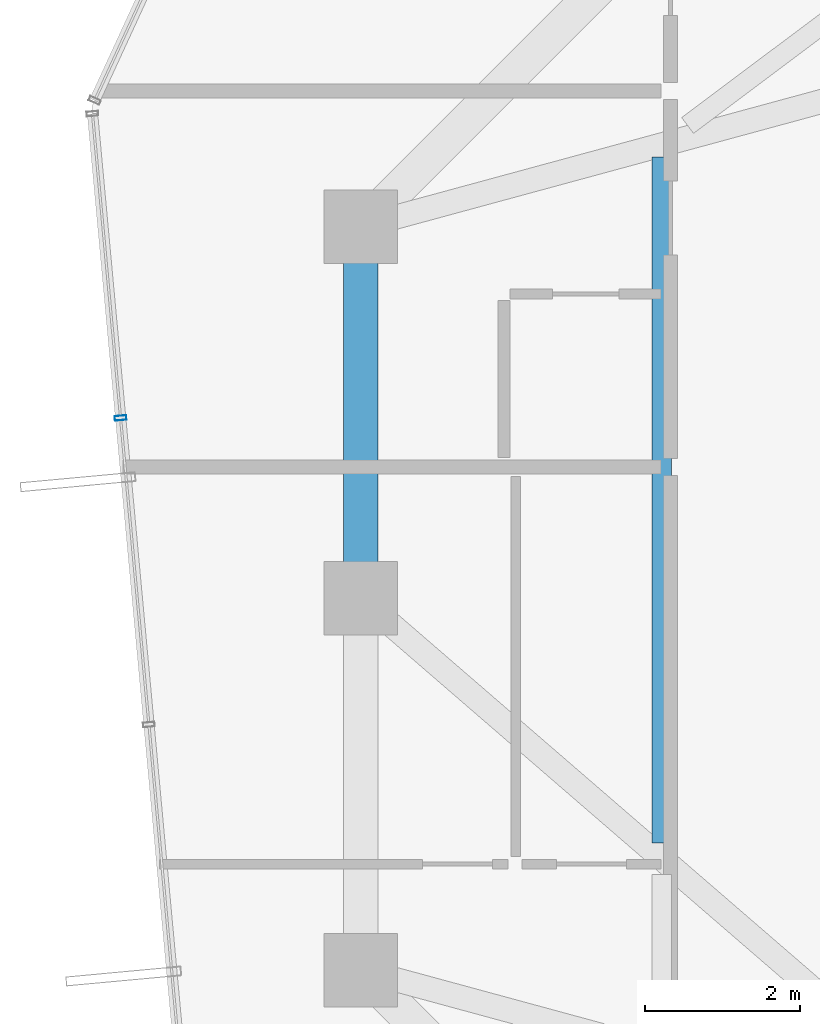
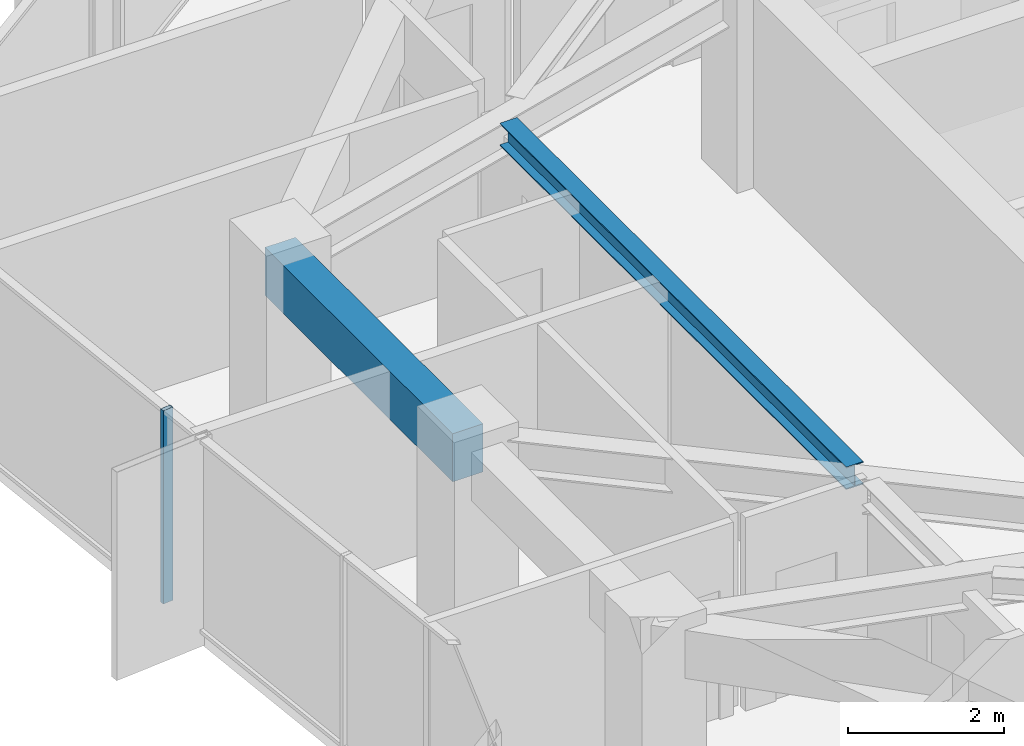
# One storey, part 12 of 32: 2 beams, 1 member, 1 element without a shape of its own.
"""IFC4 building model written with IfcOpenShell, lengths in metres."""

import ifcopenshell
import ifcopenshell.guid

model = None  # the IFC model being written
_history = None  # IfcOwnerHistory: only IFC2X3 demands one
_inside = {}  # id of a spatial element -> (the spatial element, [elements in it])
_under = {}  # id of a project, library or spatial element -> (it, [spatial elements below it])
_declared = {}  # id of a project -> (the project, [libraries it declares])
_typed = {}  # id of a type object -> (the type object, [elements of that type])
_made_of = {}  # id of a material, layer set ... -> (it, [elements and type objects made of it])


def new_model(schema):
    """Start an empty IFC model of exactly this schema.

    Asked for "IFC4X3", IfcOpenShell would pick the latest addendum, in which some entities
    have other attributes; the version numbers below select the first issue.
    IFC2X3 requires an IfcOwnerHistory on every rooted entity: one is made here for all.
    """
    global model, _history
    if schema == "IFC4X3":
        model = ifcopenshell.file(schema_version=(4, 3, 0, 0))
    else:
        model = ifcopenshell.file(schema=schema)
    _inside.clear()
    _under.clear()
    _declared.clear()
    _typed.clear()
    _made_of.clear()
    _history = None
    if model.schema == "IFC2X3":
        org = make("IfcOrganization", Name="unknown")
        user = make(
            "IfcPersonAndOrganization",
            ThePerson=make("IfcPerson", FamilyName="unknown"),
            TheOrganization=org,
        )
        app = make(
            "IfcApplication",
            ApplicationDeveloper=org,
            Version="unknown",
            ApplicationFullName="unknown",
            ApplicationIdentifier="unknown",
        )
        _history = make(
            "IfcOwnerHistory",
            OwningUser=user,
            OwningApplication=app,
            ChangeAction="ADDED",
            CreationDate=0,
        )
    return model


def make(cls, **values):
    """One entity of the class cls with the attributes given. An attribute that is None is left unset."""
    return model.create_entity(
        cls, **{name: value for name, value in values.items() if value is not None}
    )


def rooted(cls, **values):
    """An entity with a GlobalId (a new one), such as an element, a storey or a relation."""
    return make(cls, GlobalId=ifcopenshell.guid.new(), OwnerHistory=_history, **values)


def si_unit(unit_type, name, prefix=None):
    """IfcSIUnit, for example si_unit("LENGTHUNIT", "METRE", prefix="MILLI")."""
    return make("IfcSIUnit", UnitType=unit_type, Prefix=prefix, Name=name)


def assignment(units):
    """IfcUnitAssignment: the units of a project."""
    return None if units is None else make("IfcUnitAssignment", Units=units)


def point(xyz):
    """IfcCartesianPoint."""
    return None if xyz is None else make("IfcCartesianPoint", Coordinates=xyz)


def direction(xyz):
    """IfcDirection."""
    return None if xyz is None else make("IfcDirection", DirectionRatios=xyz)


def frame(location, z_axis=None, x_axis=None):
    """IfcAxis2Placement3D, a coordinate frame: its origin and axes. An axis left out is left unset."""
    return make(
        "IfcAxis2Placement3D",
        Location=point(location),
        Axis=direction(z_axis),
        RefDirection=direction(x_axis),
    )


def frame_2d(location, x_axis=None):
    """IfcAxis2Placement2D, a coordinate frame in the plane: its origin and x axis."""
    return make(
        "IfcAxis2Placement2D", Location=point(location), RefDirection=direction(x_axis)
    )


def origin():
    """The frame at (0, 0, 0) with its axes left unset."""
    return frame((0.0, 0.0, 0.0))


def origin_2d():
    """The frame at (0, 0) in the plane with its x axis left unset."""
    return frame_2d((0.0, 0.0))


def place(relative_to, where):
    """IfcLocalPlacement: puts the frame where relative to a parent placement (None: the world)."""
    return make(
        "IfcLocalPlacement", PlacementRelTo=relative_to, RelativePlacement=where
    )


def context(
    kind, dimensions, precision=None, world=None, true_north=None, identifier=None
):
    """IfcGeometricRepresentationContext, for example the 3D "Model" context."""
    return make(
        "IfcGeometricRepresentationContext",
        ContextIdentifier=identifier,
        ContextType=kind,
        CoordinateSpaceDimension=dimensions,
        Precision=precision,
        WorldCoordinateSystem=world,
        TrueNorth=true_north,
    )


def subcontext(parent, identifier, kind, view, scale=None):
    """IfcGeometricRepresentationSubContext, for example "Body" below "Model"."""
    return make(
        "IfcGeometricRepresentationSubContext",
        ContextIdentifier=identifier,
        ContextType=kind,
        ParentContext=parent,
        TargetScale=scale,
        TargetView=view,
    )


def project(units=None, contexts=None):
    """IfcProject with its units and contexts."""
    return rooted(
        "IfcProject",
        Name="project",
        RepresentationContexts=contexts,
        UnitsInContext=assignment(units),
    )


def spatial(cls, under=None, at=None, **own):
    """A site, building, storey or space (cls), placed at a placement, below another one or the project."""
    s = rooted(cls, ObjectPlacement=at, **own)
    if under is not None:
        _under.setdefault(under.id(), (under, []))[1].append(s)
    return s


def profile(cls, at=None, kind="AREA", **sizes):
    """A parametric profile (cls). Its sizes go by their IFC names, for example OverallWidth=200.0."""
    return make(cls, ProfileType=kind, Position=at, **sizes)


def rectangle(**sizes):
    """IfcRectangleProfileDef."""
    return profile("IfcRectangleProfileDef", **sizes)


def hollow_rectangle(**sizes):
    """IfcRectangleHollowProfileDef."""
    return profile("IfcRectangleHollowProfileDef", **sizes)


def i_section(**sizes):
    """IfcIShapeProfileDef."""
    return profile("IfcIShapeProfileDef", **sizes)


def extrude(swept, where, along, depth):
    """IfcExtrudedAreaSolid: the profile swept, set in the frame where, extruded along a direction by depth."""
    return make(
        "IfcExtrudedAreaSolid",
        SweptArea=swept,
        Position=where,
        ExtrudedDirection=direction(along),
        Depth=depth,
    )


def shape(context_of_items, identifier, shape_type, items):
    """IfcShapeRepresentation: the items that make up one representation, for example the "Body"."""
    return make(
        "IfcShapeRepresentation",
        ContextOfItems=context_of_items,
        RepresentationIdentifier=identifier,
        RepresentationType=shape_type,
        Items=items,
    )


def source(mapping_origin, context_of_items, identifier, shape_type, items):
    """IfcRepresentationMap: a shape defined once, which mapped items show again and again."""
    return make(
        "IfcRepresentationMap",
        MappingOrigin=mapping_origin,
        MappedRepresentation=shape(context_of_items, identifier, shape_type, items),
    )


def transform(
    local_origin,
    x_axis=None,
    y_axis=None,
    z_axis=None,
    scale=None,
    scale2=None,
    scale3=None,
    uniform=True,
):
    """IfcCartesianTransformationOperator3D, or its non-uniform kind. x_axis, y_axis, z_axis: its Axis1, 2, 3."""
    if uniform:
        return make(
            "IfcCartesianTransformationOperator3D",
            Axis1=direction(x_axis),
            Axis2=direction(y_axis),
            LocalOrigin=point(local_origin),
            Scale=scale,
            Axis3=direction(z_axis),
        )
    return make(
        "IfcCartesianTransformationOperator3DnonUniform",
        Axis1=direction(x_axis),
        Axis2=direction(y_axis),
        LocalOrigin=point(local_origin),
        Scale=scale,
        Axis3=direction(z_axis),
        Scale2=scale2,
        Scale3=scale3,
    )


def mapped(mapping_source, mapping_target):
    """IfcMappedItem: shows the shape of a source again, moved by a transform."""
    return make(
        "IfcMappedItem", MappingSource=mapping_source, MappingTarget=mapping_target
    )


def material(Name=None, Category=None):
    """IfcMaterial."""
    return make("IfcMaterial", Name=Name, Category=Category)


def layer(
    of_material, thickness, ventilated=None, Name=None, Category=None, Priority=None
):
    """IfcMaterialLayer: one layer of a wall or slab, of a material (None: an air gap)."""
    return make(
        "IfcMaterialLayer",
        Material=of_material,
        LayerThickness=thickness,
        IsVentilated=ventilated,
        Name=Name,
        Category=Category,
        Priority=Priority,
    )


def layer_set(layers, Name=None):
    """IfcMaterialLayerSet."""
    return make("IfcMaterialLayerSet", MaterialLayers=layers, LayerSetName=Name)


def material_profile(
    of_material, cross_section, Name=None, Category=None, Priority=None
):
    """IfcMaterialProfile: a cross section and its material."""
    return make(
        "IfcMaterialProfile",
        Name=Name,
        Material=of_material,
        Profile=cross_section,
        Priority=Priority,
        Category=Category,
    )


def profile_set(profiles, Name=None, composite=None):
    """IfcMaterialProfileSet."""
    return make(
        "IfcMaterialProfileSet",
        Name=Name,
        MaterialProfiles=profiles,
        CompositeProfile=composite,
    )


def made_of(thing, what):
    """Note that an element or type object is made of a material, layer set ...; save() writes the relation."""
    if what is not None:
        _made_of.setdefault(what.id(), (what, []))[1].append(thing)
    return thing


def type_object(cls, material=None, **own):
    """A type object (cls), such as IfcWallType, which elements share."""
    return made_of(rooted(cls, **own), material)


def element(
    cls,
    number,
    at=None,
    inside=None,
    cuts=None,
    type_object=None,
    material=None,
    context=None,
    identifier="Body",
    shape_type=None,
    held_by="IfcProductDefinitionShape",
    body=None,
    shapes=None,
    **own,
):
    """One element of the class cls, such as IfcWall. Its Tag is "e" and its number.

    at: its placement. inside: the storey or other place that contains it. cuts: it is an
    opening in that element (IfcRelVoidsElement). A single representation is given by context,
    identifier, shape_type and body (its items); several are given by shapes. held_by: the class
    of the entity that holds the representations. save() writes the other relations.
    """
    e = rooted(cls, Tag="e%d" % number, ObjectPlacement=at, **own)
    if body is not None:
        shapes = [shape(context, identifier, shape_type, body)]
    if shapes is not None:
        e.Representation = make(held_by, Representations=shapes)
    if inside is not None:
        _inside.setdefault(inside.id(), (inside, []))[1].append(e)
    if cuts is not None:
        rooted(
            "IfcRelVoidsElement", RelatingBuildingElement=cuts, RelatedOpeningElement=e
        )
    if type_object is not None:
        _typed.setdefault(type_object.id(), (type_object, []))[1].append(e)
    return made_of(e, material)


def aggregate(whole, parts):
    """IfcRelAggregates: a whole, such as a stair, and the parts it consists of."""
    return rooted("IfcRelAggregates", RelatingObject=whole, RelatedObjects=parts)


def save(model, path):
    """Write the relations noted so far, then the file.

    IfcRelAggregates (storeys below a building ...), IfcRelContainedInSpatialStructure (elements
    in a storey), IfcRelDefinesByType, IfcRelAssociatesMaterial and IfcRelDeclares: one each for
    every whole, place, type object, material and project.
    """
    for whole, parts in _under.values():
        aggregate(whole, parts)
    for where, things in _inside.values():
        rooted(
            "IfcRelContainedInSpatialStructure",
            RelatedElements=things,
            RelatingStructure=where,
        )
    for kind, things in _typed.values():
        rooted("IfcRelDefinesByType", RelatedObjects=things, RelatingType=kind)
    for what, things in _made_of.values():
        rooted("IfcRelAssociatesMaterial", RelatedObjects=things, RelatingMaterial=what)
    for by, libraries in _declared.values():
        rooted("IfcRelDeclares", RelatingContext=by, RelatedDefinitions=libraries)
    model.write(path)


model = new_model("IFC4")

# Units and contexts
model_context = context("Model", 3, precision=1e-05, world=origin(), true_north=direction((0.0, 1.0)))
body_context = subcontext(model_context, "Body", "Model", "MODEL_VIEW")
ifc_project = project(units=[si_unit("LENGTHUNIT", "METRE"), si_unit("AREAUNIT", "SQUARE_METRE"), si_unit("VOLUMEUNIT", "CUBIC_METRE"), si_unit("PLANEANGLEUNIT", "RADIAN"), si_unit("MASSUNIT", "GRAM", prefix="KILO")], contexts=[model_context])

# Site, building, storey
site_placement = place(None, origin())
site = spatial("IfcSite", under=ifc_project, at=site_placement, CompositionType="ELEMENT")
building_placement = place(site_placement, origin())
building = spatial("IfcBuilding", under=site, at=building_placement, Name="Veraguas Prism Commons", CompositionType="ELEMENT")
storey_placement = place(building_placement, frame((0.0, 0.0, 188.60009765625)))
storey = spatial("IfcBuildingStorey", under=building, at=storey_placement, Name="L53", CompositionType="ELEMENT", Elevation=188.60009765625)

# Beams
ifc_material_1 = material(Name="Concrete C50/60", Category="concrete")
ifc_material_profile_1 = material_profile(ifc_material_1, rectangle(XDim=0.449951171875, YDim=0.75, at=origin_2d()), Name="RC450X750")
ifc_profile_set_1 = profile_set([ifc_material_profile_1], Name="Concrete C50/60")
beam_type_1 = type_object("IfcBeamType", Name="Perimeter Spandrel Upper RC 450x750", PredefinedType="SPANDREL", material=ifc_profile_set_1)
beam_1_placement = place(storey_placement, frame((9.10009765625, 28.800048828125, 2.639892578125), z_axis=(0.0, -1.0, 0.0), x_axis=(1.0, 0.0, 0.0)))
element("IfcBeam", 1, at=beam_1_placement, inside=storey, type_object=beam_type_1, Name="Perimeter Spandrel Beam L53-SP07", PredefinedType="SPANDREL", context=body_context, shape_type="SweptSolid", body=[
    extrude(rectangle(XDim=0.449951171875, YDim=0.75, at=origin_2d()), origin(), (0.0, 0.0, 1.0), 4.800048828125),
])
ifc_material_2 = material(Name="Steel ASTM A992 Grade 50", Category="steel")
ifc_material_profile_2 = material_profile(ifc_material_2, i_section(OverallWidth=0.25390625, OverallDepth=0.35302734375, WebThickness=0.009521484375, FlangeThickness=0.016357421875, at=origin_2d()), Name="W360X91")
ifc_profile_set_2 = profile_set([ifc_material_profile_2], Name="Steel ASTM A992 Grade 50")
beam_type_2 = type_object("IfcBeamType", Name="Upper Floor Joist W360x91", PredefinedType="JOIST", material=ifc_profile_set_2)
beam_2_placement = place(storey_placement, frame((12.988037109375, 29.697021484375, 2.83837890625), z_axis=(0.0, -1.0, 0.0), x_axis=(1.0, 0.0, 0.0)))
element("IfcBeam", 2, at=beam_2_placement, inside=storey, type_object=beam_type_2, Name="Composite Floor Joist L53-JS07", PredefinedType="JOIST", context=body_context, shape_type="SweptSolid", body=[
    extrude(i_section(OverallWidth=0.25390625, OverallDepth=0.35302734375, WebThickness=0.009521484375, FlangeThickness=0.016357421875, at=origin_2d()), origin(), (0.0, 0.0, 1.0), 8.85400390625),
])

# Curtain wall, member
ifc_material_3 = material(Name="Anodised aluminium EN AW-6063 T6", Category="aluminium")
ifc_layer = layer(ifc_material_3, 0.14990234375, Name="Unitised Flush Curtain Wall Zone 3", Category="aluminium")
ifc_layer_set = layer_set([ifc_layer], Name="Anodised aluminium EN AW-6063 T6")
curtain_wall_type = type_object("IfcCurtainWallType", Name="Unitised Flush Curtain Wall Zone 3", PredefinedType="NOTDEFINED", material=ifc_layer_set)
curtain_wall_placement = place(storey_placement, origin())
curtain_wall = element("IfcCurtainWall", 3, at=curtain_wall_placement, inside=storey, type_object=curtain_wall_type, Name="Tower Facade Curtain Wall L53-F3", PredefinedType="NOTDEFINED")
ifc_material_profile_3 = material_profile(ifc_material_3, hollow_rectangle(XDim=0.06005859375, YDim=0.14990234375, WallThickness=0.0029296875, at=origin_2d()), Name="AL60X150X3")
ifc_profile_set_3 = profile_set([ifc_material_profile_3], Name="Anodised aluminium EN AW-6063 T6")
member_type = type_object("IfcMemberType", Name="Curtain Wall Mullion Upper AL 60x150x3", PredefinedType="MULLION", material=ifc_profile_set_3)
shared_shape = source(origin(), body_context, "Body", "SweptSolid", [
    extrude(hollow_rectangle(XDim=0.06005859375, YDim=0.14990234375, WallThickness=0.0029296875, at=origin_2d()), origin(), (0.0, 0.0, 1.0), 3.014892578125),
])
member_placement = place(storey_placement, frame((5.9990234375, 26.3291015625, 0.0), z_axis=(0.0, 0.0, 1.0), x_axis=(0.092023008338, -0.995756880939, 0.0)))
member = element("IfcMember", 4, at=member_placement, type_object=member_type, Name="CW-Z3 Mullion 2", PredefinedType="MULLION", context=body_context, shape_type="MappedRepresentation", body=[
    mapped(shared_shape, transform((0.0, 0.0, 0.0), scale=1.0)),
])
aggregate(curtain_wall, [member])

save(model, "model.ifc")
